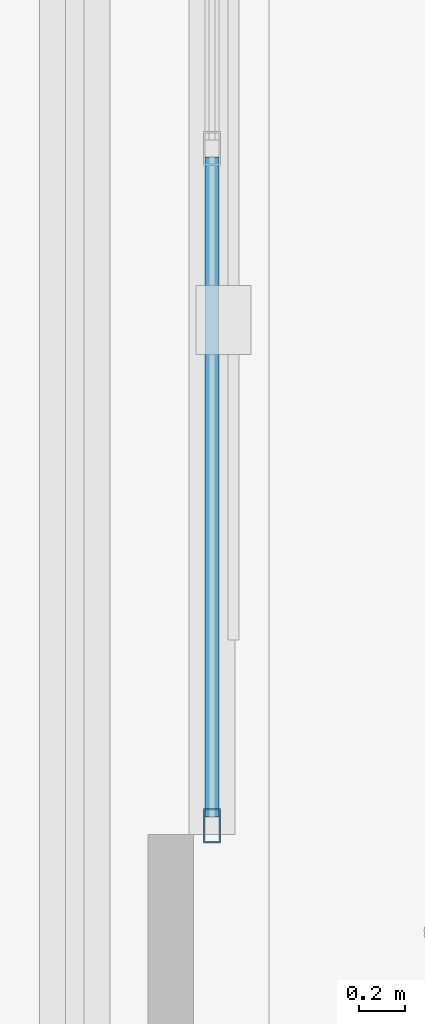
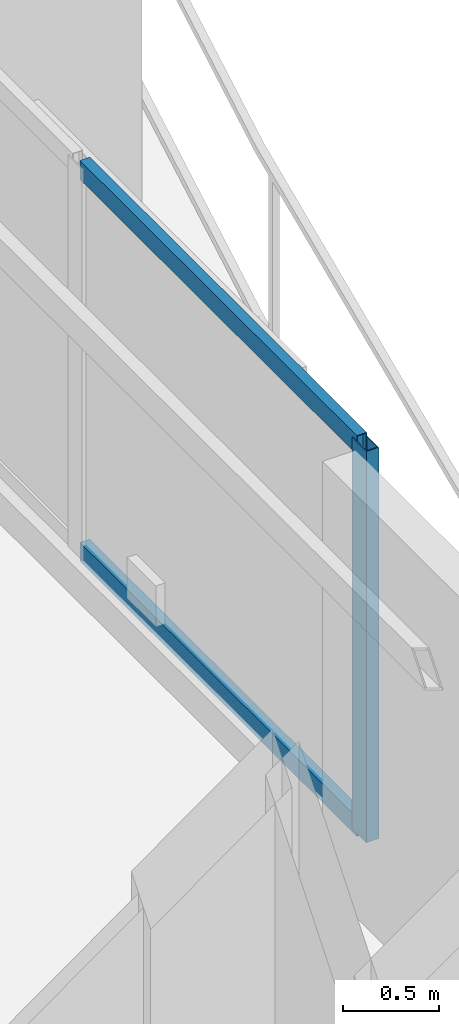
# One storey, part 6 of 21: 3 members, 1 element without a shape of its own.
"""IFC4 building model written with IfcOpenShell, lengths in metres."""

from ifc_helpers import new_model, si_unit, direction, frame, origin, origin_2d, place, context, subcontext, project, spatial, hollow_rectangle, extrude, material, layer, layer_set, material_profile, profile_set, type_object, element, aggregate, save


model = new_model("IFC4")

# Units and contexts
model_context = context("Model", 3, precision=1e-05, world=origin(), true_north=direction((0.0, 1.0)))
body_context = subcontext(model_context, "Body", "Model", "MODEL_VIEW")
ifc_project = project(units=[si_unit("LENGTHUNIT", "METRE"), si_unit("AREAUNIT", "SQUARE_METRE"), si_unit("VOLUMEUNIT", "CUBIC_METRE"), si_unit("PLANEANGLEUNIT", "RADIAN"), si_unit("MASSUNIT", "GRAM", prefix="KILO")], contexts=[model_context])

# Site, building, storey
site_placement = place(None, origin())
site = spatial("IfcSite", under=ifc_project, at=site_placement, CompositionType="ELEMENT")
building_placement = place(site_placement, origin())
building = spatial("IfcBuilding", under=site, at=building_placement, Name="Mersakhor Tower and Convention Hall", CompositionType="ELEMENT")
storey_placement = place(building_placement, frame((0.0, 0.0, 182.10009765625)))
storey = spatial("IfcBuildingStorey", under=building, at=storey_placement, Name="L50", CompositionType="ELEMENT", Elevation=182.10009765625)

# Curtain wall, members
ifc_material_1 = material(Name="Dark solar low-E aluminium curtain wall", Category="aluminium")
ifc_layer = layer(ifc_material_1, 0.169921875)
ifc_layer_set = layer_set([ifc_layer], Name="Dark solar low-E aluminium curtain wall")
curtain_wall_type = type_object("IfcCurtainWallType", Name="CW-SYS-02", PredefinedType="USERDEFINED", material=ifc_layer_set)
curtain_wall_placement = place(storey_placement, origin())
curtain_wall = element("IfcCurtainWall", 1, at=curtain_wall_placement, inside=storey, type_object=curtain_wall_type, Name="L50 Dark-Glass Curtain Wall F2-B2", ObjectType="CURTAIN WALL", PredefinedType="USERDEFINED")
ifc_material_2 = material(Name="Anodised aluminium EN AW-6063 T6", Category="aluminium")
ifc_material_profile_1 = material_profile(ifc_material_2, hollow_rectangle(XDim=0.074951171875, YDim=0.14990234375, WallThickness=0.00634765625, at=origin_2d()), Name="RHS 150x75x6.3")
ifc_profile_set_1 = profile_set([ifc_material_profile_1], Name="Anodised aluminium EN AW-6063 T6")
member_type_1 = type_object("IfcMemberType", Name="CWM-150x75", PredefinedType="MULLION", material=ifc_profile_set_1)
member_1_placement = place(storey_placement, frame((40.58837890625, 22.2880859375, 0.199951171875), z_axis=(0.0, 0.0, 1.0), x_axis=(1.0, 0.0, 0.0)))
member_1 = element("IfcMember", 2, at=member_1_placement, type_object=member_type_1, Name="CW-02 mullion 4", PredefinedType="MULLION", context=body_context, shape_type="SweptSolid", body=[
    extrude(hollow_rectangle(XDim=0.074951171875, YDim=0.14990234375, WallThickness=0.00634765625, at=origin_2d()), origin(), (0.0, 0.0, 1.0), 2.489990234375),
])
ifc_material_3 = material(Name="Anodised aluminium EN AW-6063 T6", Category="aluminium")
ifc_material_profile_2 = material_profile(ifc_material_3, hollow_rectangle(XDim=0.06005859375, YDim=0.1201171875, WallThickness=0.0048828125, at=origin_2d()), Name="RHS 120x60x5")
ifc_profile_set_2 = profile_set([ifc_material_profile_2], Name="Anodised aluminium EN AW-6063 T6")
member_type_2 = type_object("IfcMemberType", Name="CWT-120x60", PredefinedType="USERDEFINED", material=ifc_profile_set_2)
member_2_placement = place(storey_placement, frame((40.58837890625, 25.212646484375, 0.22998046875), z_axis=(0.0, -1.0, 0.0), x_axis=(1.0, 0.0, 0.0)))
member_2 = element("IfcMember", 3, at=member_2_placement, type_object=member_type_2, Name="CW-02 transom 3.1", ObjectType="TRANSOM", PredefinedType="USERDEFINED", context=body_context, shape_type="SweptSolid", body=[
    extrude(hollow_rectangle(XDim=0.06005859375, YDim=0.1201171875, WallThickness=0.0048828125, at=origin_2d()), origin(), (0.0, 0.0, 1.0), 2.88720703125),
])
member_3_placement = place(storey_placement, frame((40.58837890625, 25.212646484375, 2.659912109375), z_axis=(0.0, -1.0, 0.0), x_axis=(1.0, 0.0, 0.0)))
member_3 = element("IfcMember", 4, at=member_3_placement, type_object=member_type_2, Name="CW-02 transom 3.2", ObjectType="TRANSOM", PredefinedType="USERDEFINED", context=body_context, shape_type="SweptSolid", body=[
    extrude(hollow_rectangle(XDim=0.06005859375, YDim=0.1201171875, WallThickness=0.0048828125, at=origin_2d()), origin(), (0.0, 0.0, 1.0), 2.88720703125),
])
aggregate(curtain_wall, [member_1, member_2, member_3])

save(model, "model.ifc")
